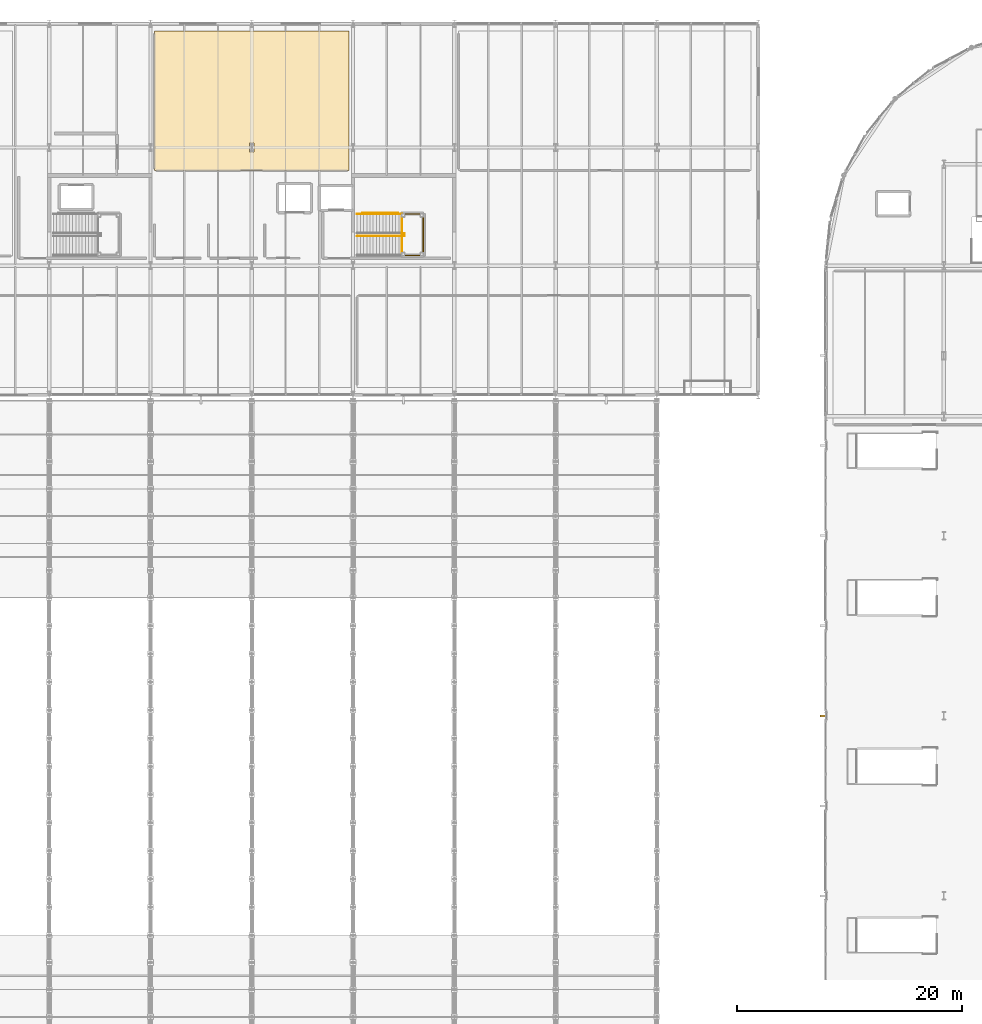
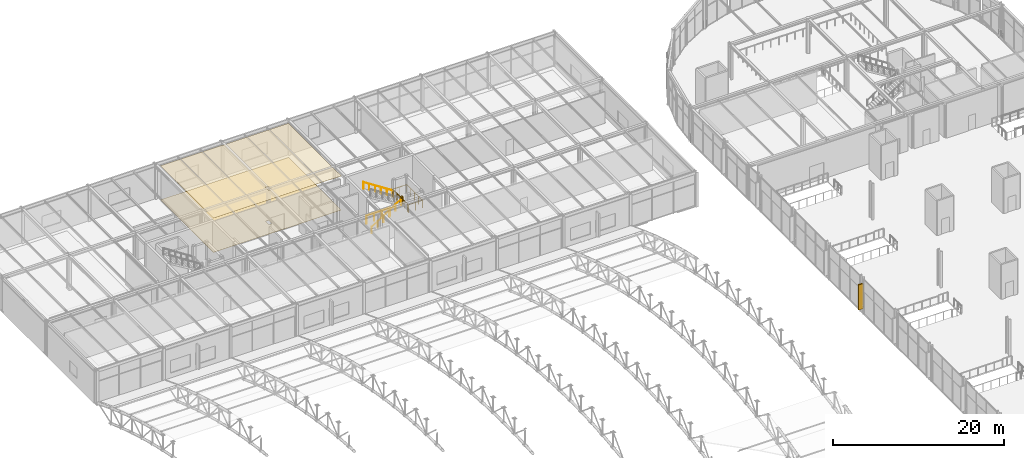
# One storey, part 177 of 195: 5 railings, 2 coverings, 1 shading device.
"""IFC4 building model written with IfcOpenShell, lengths in metres."""

from ifc_helpers import new_model, si_unit, direction, frame, origin, origin_2d, place, context, subcontext, project, spatial, polyline, rectangle, circle, outline, extrude, material, layer, layer_set, type_object, element, save


model = new_model("IFC4")

# Units and contexts
model_context = context("Model", 3, precision=1e-05, world=origin(), true_north=direction((0.0, 1.0)))
body_context = subcontext(model_context, "Body", "Model", "MODEL_VIEW")
ifc_project = project(units=[si_unit("LENGTHUNIT", "METRE"), si_unit("AREAUNIT", "SQUARE_METRE"), si_unit("VOLUMEUNIT", "CUBIC_METRE"), si_unit("PLANEANGLEUNIT", "RADIAN"), si_unit("MASSUNIT", "GRAM", prefix="KILO")], contexts=[model_context])

# Site, building, storey
site_placement = place(None, origin())
site = spatial("IfcSite", under=ifc_project, at=site_placement, CompositionType="ELEMENT")
building_placement = place(site_placement, origin())
building = spatial("IfcBuilding", under=site, at=building_placement, Name="Marlcrest Central Station", CompositionType="ELEMENT")
storey_placement = place(building_placement, frame((0.0, 0.0, 9.800048828125)))
storey = spatial("IfcBuildingStorey", under=building, at=storey_placement, Name="L02", CompositionType="ELEMENT", Elevation=9.800048828125)

# Coverings
ifc_material_1 = material(Name="Perforated acoustic mineral-fibre ceiling")
ifc_layer_1 = layer(ifc_material_1, 0.02490234375, Name="CV-CLG")
ifc_layer_set_1 = layer_set([ifc_layer_1], Name="Perforated acoustic mineral-fibre ceiling")
covering_type_1 = type_object("IfcCoveringType", Name="CV-CLG", PredefinedType="CEILING", material=ifc_layer_set_1)
covering_1_placement = place(storey_placement, frame((0.0, 0.0, 4.875)))
element("IfcCovering", 1, at=covering_1_placement, inside=storey, type_object=covering_type_1, Name="cov-clg-0115", PredefinedType="CEILING", context=body_context, shape_type="SweptSolid", body=[
    extrude(outline(polyline([(27.360107421875, 118.9599609375), (27.360107421875, 131.340087890625), (44.639892578125, 131.340087890625), (44.639892578125, 118.9599609375), (27.360107421875, 118.9599609375)]), holes=[polyline([(36.2099609375, 121.385009765625), (35.7900390625, 121.385009765625), (35.7900390625, 120.614990234375), (36.2099609375, 120.614990234375), (36.2099609375, 121.385009765625)])]), origin(), (0.0, 0.0, 1.0), 0.02490234375),
])
ifc_material_2 = material(Name="Polished terrazzo and tactile transit flooring")
ifc_layer_2 = layer(ifc_material_2, 0.030029296875, Name="CV-FLR")
ifc_layer_set_2 = layer_set([ifc_layer_2], Name="Polished terrazzo and tactile transit flooring")
covering_type_2 = type_object("IfcCoveringType", Name="CV-FLR", PredefinedType="FLOORING", material=ifc_layer_set_2)
covering_2_placement = place(storey_placement, origin())
element("IfcCovering", 2, at=covering_2_placement, inside=storey, type_object=covering_type_2, Name="cov-flr-0116", PredefinedType="FLOORING", context=body_context, shape_type="SweptSolid", body=[
    extrude(outline(polyline([(27.360107421875, 118.9599609375), (27.360107421875, 131.340087890625), (44.639892578125, 131.340087890625), (44.639892578125, 118.9599609375), (27.360107421875, 118.9599609375)]), holes=[polyline([(36.2099609375, 121.385009765625), (35.7900390625, 121.385009765625), (35.7900390625, 120.614990234375), (36.2099609375, 120.614990234375), (36.2099609375, 121.385009765625)])]), origin(), (0.0, 0.0, 1.0), 0.030029296875),
])

# Railings
ifc_material_3 = material(Name="Stainless steel and laminated glass concourse balustrade", Category="steel")
railing_type_1 = type_object("IfcRailingType", Name="GR-02", PredefinedType="BALUSTRADE", material=ifc_material_3)
railing_1_placement = place(storey_placement, frame((49.320068359375, 111.409912109375, 2.599853515625)))
element("IfcRailing", 3, at=railing_1_placement, inside=storey, type_object=railing_type_1, Name="hr-L02-00265", PredefinedType="BALUSTRADE", context=body_context, shape_type="SweptSolid", body=[
    extrude(circle(Radius=0.02392578125, at=origin_2d()), frame((0.0, 0.0, 1.09619140625), z_axis=(1.0, 0.0, 0.0), x_axis=(0.0, 1.0, 0.0)), (0.0, 0.0, 1.0), 1.919921875),
    extrude(circle(Radius=0.02392578125, at=origin_2d()), frame((1.919921875, 0.0, 1.09619140625), z_axis=(0.0, 1.0, 0.0), x_axis=(-1.0, 0.0, 0.0)), (0.0, 0.0, 1.0), 3.68017578125),
    extrude(circle(Radius=0.02392578125, at=origin_2d()), frame((1.919921875, 3.68017578125, 1.09619140625), z_axis=(-1.0, 0.0, 0.0), x_axis=(0.0, -1.0, 0.0)), (0.0, 0.0, 1.0), 1.919921875),
    extrude(circle(Radius=0.02099609375, at=origin_2d()), origin(), (0.0, 0.0, 1.0), 1.072021484375),
    extrude(circle(Radius=0.02099609375, at=origin_2d()), frame((0.9599609375, 0.0, 0.0)), (0.0, 0.0, 1.0), 1.072021484375),
    extrude(circle(Radius=0.02099609375, at=origin_2d()), frame((1.919921875, 0.0, 0.0)), (0.0, 0.0, 1.0), 1.072021484375),
    extrude(circle(Radius=0.02099609375, at=origin_2d()), frame((1.919921875, 0.919921875, 0.0)), (0.0, 0.0, 1.0), 1.072021484375),
    extrude(circle(Radius=0.02099609375, at=origin_2d()), frame((1.919921875, 1.840087890625, 0.0)), (0.0, 0.0, 1.0), 1.072021484375),
    extrude(circle(Radius=0.02099609375, at=origin_2d()), frame((1.919921875, 2.76025390625, 0.0)), (0.0, 0.0, 1.0), 1.072021484375),
    extrude(circle(Radius=0.02099609375, at=origin_2d()), frame((1.919921875, 3.68017578125, 0.0)), (0.0, 0.0, 1.0), 1.072021484375),
    extrude(circle(Radius=0.02099609375, at=origin_2d()), frame((0.9599609375, 3.68017578125, 0.0)), (0.0, 0.0, 1.0), 1.072021484375),
    extrude(circle(Radius=0.02099609375, at=origin_2d()), frame((0.0, 3.68017578125, 0.0)), (0.0, 0.0, 1.0), 1.072021484375),
])
railing_2_placement = place(storey_placement, frame((48.991943359375, 115.159912109375, 0.0)))
element("IfcRailing", 4, at=railing_2_placement, inside=storey, type_object=railing_type_1, Name="hr-L02-00318", PredefinedType="BALUSTRADE", context=body_context, shape_type="SweptSolid", body=[
    extrude(circle(Radius=0.02392578125, at=origin_2d()), frame((0.0, 0.0, 1.09619140625), z_axis=(-1.0, 0.0, 0.0), x_axis=(0.0, -1.0, 0.0)), (0.0, 0.0, 1.0), 3.171875),
    extrude(circle(Radius=0.02099609375, at=origin_2d()), origin(), (0.0, 0.0, 1.0), 1.072021484375),
    extrude(circle(Radius=0.02099609375, at=origin_2d()), frame((-1.057373046875, 0.0, 0.0)), (0.0, 0.0, 1.0), 1.072021484375),
    extrude(circle(Radius=0.02099609375, at=origin_2d()), frame((-2.114501953125, 0.0, 0.0)), (0.0, 0.0, 1.0), 1.072021484375),
    extrude(circle(Radius=0.02099609375, at=origin_2d()), frame((-3.171875, 0.0, 0.0)), (0.0, 0.0, 1.0), 1.072021484375),
])
railing_3_placement = place(storey_placement, frame((49.340087890625, 111.659912109375, 2.599853515625)))
element("IfcRailing", 5, at=railing_3_placement, inside=storey, type_object=railing_type_1, Name="hr-L02-00605", PredefinedType="BALUSTRADE", context=body_context, shape_type="SweptSolid", body=[
    extrude(circle(Radius=0.02392578125, at=origin_2d()), frame((0.0, 0.0, 1.09619140625), z_axis=(0.0, 1.0, 0.0), x_axis=(-1.0, 0.0, 0.0)), (0.0, 0.0, 1.0), 1.469970703125),
    extrude(circle(Radius=0.02392578125, at=origin_2d()), frame((0.0, 1.469970703125, 1.09619140625), z_axis=(1.0, 0.0, 0.0), x_axis=(0.0, 1.0, 0.0)), (0.0, 0.0, 1.0), 0.25),
    extrude(circle(Radius=0.02392578125, at=origin_2d()), frame((0.25, 1.469970703125, 1.09619140625), z_axis=(0.0, 1.0, 0.0), x_axis=(-1.0, 0.0, 0.0)), (0.0, 0.0, 1.0), 0.240234375),
    extrude(circle(Radius=0.02392578125, at=origin_2d()), frame((0.25, 1.710205078125, 1.09619140625), z_axis=(-1.0, 0.0, 0.0), x_axis=(0.0, -1.0, 0.0)), (0.0, 0.0, 1.0), 0.25),
    extrude(circle(Radius=0.02392578125, at=origin_2d()), frame((0.0, 1.710205078125, 1.09619140625), z_axis=(0.0, 1.0, 0.0), x_axis=(-1.0, 0.0, 0.0)), (0.0, 0.0, 1.0), 1.469970703125),
    extrude(circle(Radius=0.02099609375, at=origin_2d()), origin(), (0.0, 0.0, 1.0), 1.072021484375),
    extrude(circle(Radius=0.02099609375, at=origin_2d()), frame((0.0, 0.73486328125, 0.0)), (0.0, 0.0, 1.0), 1.072021484375),
    extrude(circle(Radius=0.02099609375, at=origin_2d()), frame((0.0, 1.469970703125, 0.0)), (0.0, 0.0, 1.0), 1.072021484375),
    extrude(circle(Radius=0.02099609375, at=origin_2d()), frame((0.25, 1.469970703125, 0.0)), (0.0, 0.0, 1.0), 1.072021484375),
    extrude(circle(Radius=0.02099609375, at=origin_2d()), frame((0.25, 1.710205078125, 0.0)), (0.0, 0.0, 1.0), 1.072021484375),
    extrude(circle(Radius=0.02099609375, at=origin_2d()), frame((0.0, 1.710205078125, 0.0)), (0.0, 0.0, 1.0), 1.072021484375),
    extrude(circle(Radius=0.02099609375, at=origin_2d()), frame((0.0, 2.4453125, 0.0)), (0.0, 0.0, 1.0), 1.072021484375),
    extrude(circle(Radius=0.02099609375, at=origin_2d()), frame((0.0, 3.18017578125, 0.0)), (0.0, 0.0, 1.0), 1.072021484375),
])
ifc_material_4 = material(Name="Brushed stainless steel handrail", Category="steel")
railing_type_2 = type_object("IfcRailingType", Name="HR-01", PredefinedType="HANDRAIL", material=ifc_material_4)
railing_4_placement = place(storey_placement, frame((45.3701171875, 113.1201171875, 0.0)))
element("IfcRailing", 6, at=railing_4_placement, inside=storey, type_object=railing_type_2, Name="hr-L02-00263", PredefinedType="HANDRAIL", context=body_context, shape_type="SweptSolid", body=[
    extrude(circle(Radius=0.02392578125, at=origin_2d()), frame((0.0, 0.0, 0.89599609375), z_axis=(0.837832859484, 0.0, 0.545926826204), x_axis=(0.0, 1.0, 0.0)), (0.0, 0.0, 1.0), 4.76220703125),
    extrude(circle(Radius=0.02099609375, at=origin_2d()), origin(), (0.0, 0.0, 1.0), 0.871826171875),
    extrude(circle(Radius=0.02099609375, at=origin_2d()), frame((0.798095703125, 0.0, 0.52001953125)), (0.0, 0.0, 1.0), 0.871826171875),
    extrude(circle(Radius=0.02099609375, at=origin_2d()), frame((1.595947265625, 0.0, 1.0400390625)), (0.0, 0.0, 1.0), 0.871826171875),
    extrude(circle(Radius=0.02099609375, at=origin_2d()), frame((2.39404296875, 0.0, 1.559814453125)), (0.0, 0.0, 1.0), 0.871826171875),
    extrude(circle(Radius=0.02099609375, at=origin_2d()), frame((3.19189453125, 0.0, 2.079833984375)), (0.0, 0.0, 1.0), 0.871826171875),
    extrude(circle(Radius=0.02099609375, at=origin_2d()), frame((3.989990234375, 0.0, 2.599853515625)), (0.0, 0.0, 1.0), 0.871826171875),
])
railing_5_placement = place(storey_placement, frame((49.360107421875, 115.080078125, 2.599853515625)))
element("IfcRailing", 7, at=railing_5_placement, inside=storey, type_object=railing_type_2, Name="hr-L02-00264", PredefinedType="HANDRAIL", context=body_context, shape_type="SweptSolid", body=[
    extrude(circle(Radius=0.02392578125, at=origin_2d()), frame((0.0, 0.0, 0.89599609375), z_axis=(-0.83780941074, 0.0, 0.545962811257), x_axis=(0.0, -1.0, 0.0)), (0.0, 0.0, 1.0), 4.762451171875),
    extrude(circle(Radius=0.02099609375, at=origin_2d()), origin(), (0.0, 0.0, 1.0), 0.871826171875),
    extrude(circle(Radius=0.02099609375, at=origin_2d()), frame((-0.798095703125, 0.0, 0.52001953125)), (0.0, 0.0, 1.0), 0.871826171875),
    extrude(circle(Radius=0.02099609375, at=origin_2d()), frame((-1.595947265625, 0.0, 1.0400390625)), (0.0, 0.0, 1.0), 0.871826171875),
    extrude(circle(Radius=0.02099609375, at=origin_2d()), frame((-2.39404296875, 0.0, 1.56005859375)), (0.0, 0.0, 1.0), 0.871826171875),
    extrude(circle(Radius=0.02099609375, at=origin_2d()), frame((-3.19189453125, 0.0, 2.080078125)), (0.0, 0.0, 1.0), 0.871826171875),
    extrude(circle(Radius=0.02099609375, at=origin_2d()), frame((-3.989990234375, 0.0, 2.60009765625)), (0.0, 0.0, 1.0), 0.871826171875),
])

# Shading device
ifc_material_5 = material(Name="Precast concrete C40/50", Category="concrete")
shading_device_type = type_object("IfcShadingDeviceType", Name="SD-BS1", PredefinedType="USERDEFINED", material=ifc_material_5)
shading_device_placement = place(storey_placement, frame((86.800048828125, 70.5, 0.5), z_axis=(0.0, 0.0, 1.0), x_axis=(0.0, 1.0, 0.0)))
element("IfcShadingDevice", 8, at=shading_device_placement, inside=storey, type_object=shading_device_type, Name="shd-L02-0013", ObjectType="BRISE_SOLEIL", PredefinedType="USERDEFINED", context=body_context, shape_type="SweptSolid", body=[
    extrude(rectangle(XDim=0.179931640625, YDim=0.64990234375, at=origin_2d()), origin(), (0.0, 0.0, 1.0), 3.60009765625),
])

save(model, "model.ifc")
